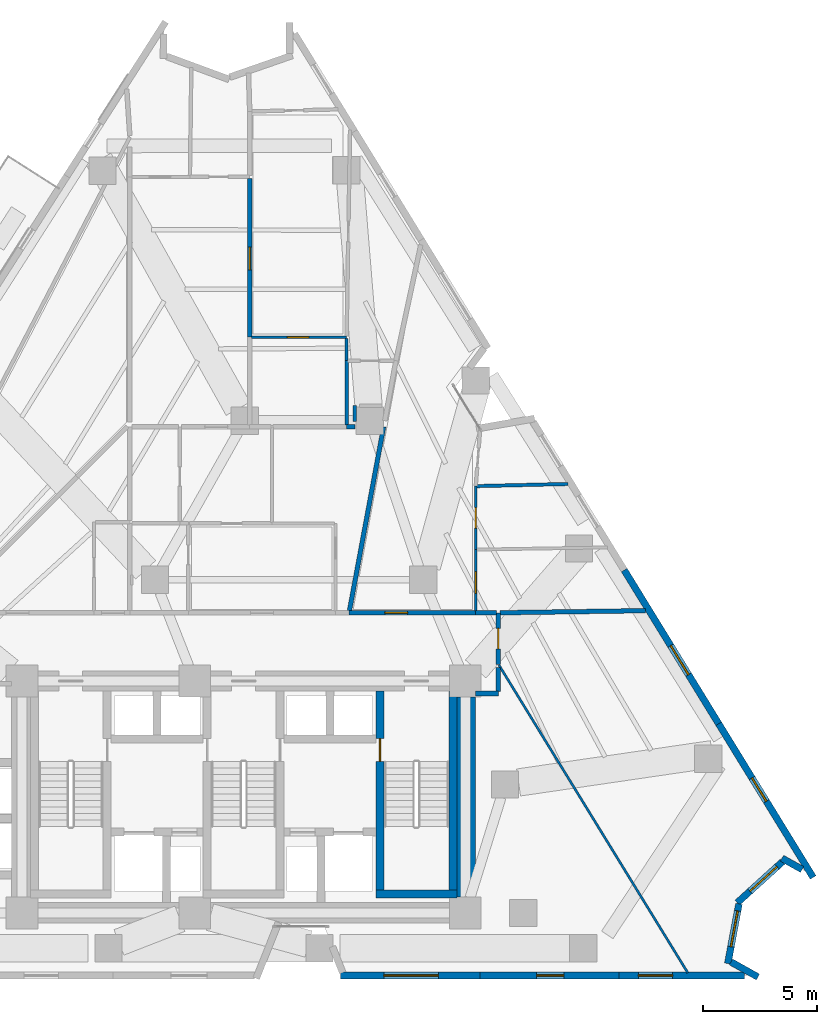
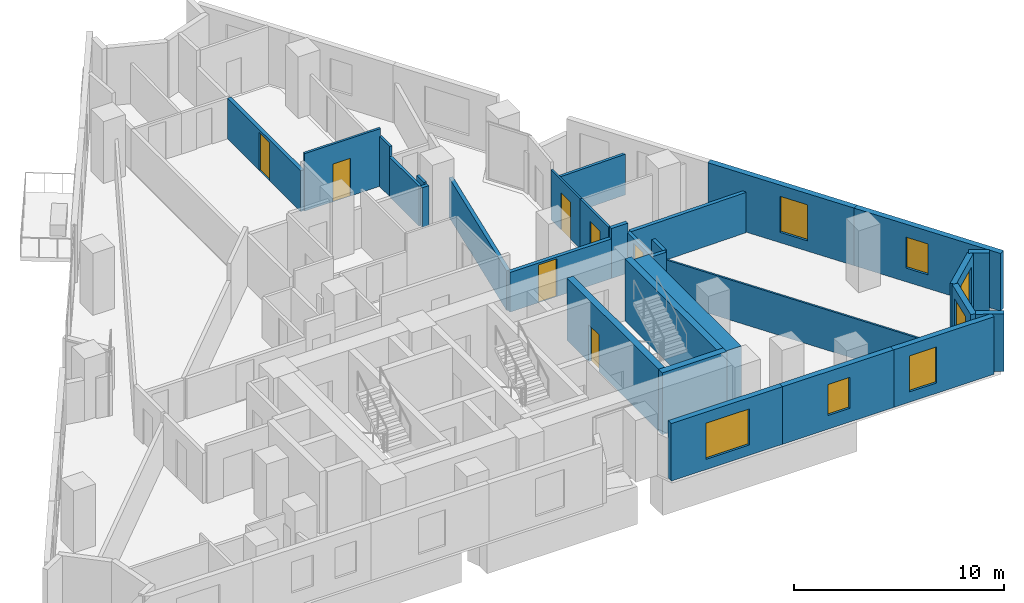
# One storey, part 8 of 13: 30 walls, 7 doors, 7 windows, 14 openings.
"""IFC4 building model written with IfcOpenShell, lengths in metres."""

from ifc_helpers import new_model, si_unit, direction, frame, frame_2d, origin, place, context, subcontext, project, spatial, rectangle, extrude, material, layer, layer_set, type_object, element, fill, save


model = new_model("IFC4")

# Units and contexts
model_context = context("Model", 3, precision=1e-05, world=origin(), true_north=direction((0.0, 1.0)))
body_context = subcontext(model_context, "Body", "Model", "MODEL_VIEW")
ifc_project = project(units=[si_unit("LENGTHUNIT", "METRE"), si_unit("AREAUNIT", "SQUARE_METRE"), si_unit("VOLUMEUNIT", "CUBIC_METRE"), si_unit("PLANEANGLEUNIT", "RADIAN"), si_unit("MASSUNIT", "GRAM", prefix="KILO")], contexts=[model_context])

# Site, building, storey
site_placement = place(None, origin())
site = spatial("IfcSite", under=ifc_project, at=site_placement, CompositionType="ELEMENT")
building_placement = place(site_placement, origin())
building = spatial("IfcBuilding", under=site, at=building_placement, Name="Almagre Mirador Tower", CompositionType="ELEMENT")
storey_placement = place(building_placement, frame((0.0, 0.0, 75.0)))
storey = spatial("IfcBuildingStorey", under=building, at=storey_placement, Name="L18", CompositionType="ELEMENT", Elevation=75.0)

# Wall, opening, window
ifc_material_1 = material(Name="Precast concrete C50/60", Category="concrete")
ifc_layer_1 = layer(ifc_material_1, 0.300048828125)
ifc_layer_set_1 = layer_set([ifc_layer_1], Name="Precast concrete C50/60")
wall_type_1 = type_object("IfcWallType", Name="WAL-EXT-300", PredefinedType="SOLIDWALL", material=ifc_layer_set_1)
wall_1_placement = place(storey_placement, frame((54.04052734375, 19.629150390625, 0.0), z_axis=(0.0, 0.0, 1.0), x_axis=(0.523661280051, -0.851926560083, 0.0)))
wall_1 = element("IfcWall", 1, at=wall_1_placement, inside=storey, type_object=wall_type_1, Name="L18 expressed almagre precast frame wall 16", PredefinedType="SOLIDWALL", context=body_context, shape_type="SweptSolid", body=[
    extrude(rectangle(XDim=7.93408203125, YDim=0.300048828125, at=frame_2d((3.967041015625, 0.0))), origin(), (0.0, 0.0, 1.0), 3.35009765625),
])
opening_1_placement = place(wall_1_placement, frame((3.89990234375, 0.0, 0.60009765625)))
opening_1 = element("IfcOpeningElement", 2, at=opening_1_placement, cuts=wall_1, Name="Opening WN-03", PredefinedType="OPENING", context=body_context, shape_type="SweptSolid", body=[
    extrude(rectangle(XDim=1.5, YDim=2.10009765625, at=frame_2d((0.75, 1.050048828125))), frame((0.0, 0.159902, 0.0), z_axis=(0.0, -1.0, 0.0), x_axis=(1.0, 0.0, 0.0)), (0.0, 0.0, 1.0), 0.320049),
])
ifc_material_2 = material(Name="Dark solar-control laminated hurricane glass", Category="glass")
window_type_1 = type_object("IfcWindowType", Name="WIN-1500X2100", PartitioningType="DOUBLE_PANEL_VERTICAL", PredefinedType="WINDOW", material=ifc_material_2)
window_1_placement = place(opening_1_placement, origin())
window_1 = element("IfcWindow", 3, at=window_1_placement, inside=storey, type_object=window_type_1, Name="L18 recessed hurricane window L18-RST-D", OverallHeight=2.10009765625, OverallWidth=1.5, PartitioningType="SINGLE_PANEL", PredefinedType="WINDOW", context=body_context, shape_type="SweptSolid", body=[
    extrude(rectangle(XDim=1.5, YDim=2.10009765625, at=frame_2d((0.75, 1.050048828125))), frame((0.0, 0.030029296875, 0.0), z_axis=(0.0, -1.0, 0.0), x_axis=(1.0, 0.0, 0.0)), (0.0, 0.0, 1.0), 0.06005859375),
])
fill(opening_1, window_1)

wall_2_placement = place(storey_placement, frame((58.1953125, 12.869873046875, 0.0), z_axis=(0.0, 0.0, 1.0), x_axis=(0.52368361247, -0.851912832413, 0.0)))
wall_2 = element("IfcWall", 4, at=wall_2_placement, inside=storey, type_object=wall_type_1, Name="L18 expressed almagre precast frame wall 17", PredefinedType="SOLIDWALL", context=body_context, shape_type="SweptSolid", body=[
    extrude(rectangle(XDim=7.934326171875, YDim=0.300048828125, at=frame_2d((3.96728515625, 0.0))), origin(), (0.0, 0.0, 1.0), 3.35009765625),
])
opening_2_placement = place(wall_2_placement, frame((2.800048828125, 0.0, 0.800048828125)))
opening_2 = element("IfcOpeningElement", 5, at=opening_2_placement, cuts=wall_2, Name="Opening WN-04", PredefinedType="OPENING", context=body_context, shape_type="SweptSolid", body=[
    extrude(rectangle(XDim=1.199951171875, YDim=1.800048828125, at=frame_2d((0.60009765625, 0.89990234375))), frame((0.0, 0.159902, 0.0), z_axis=(0.0, -1.0, 0.0), x_axis=(1.0, 0.0, 0.0)), (0.0, 0.0, 1.0), 0.320049),
])
ifc_material_3 = material(Name="Dark solar-control laminated hurricane glass", Category="glass")
window_type_2 = type_object("IfcWindowType", Name="WIN-1200X1800", PartitioningType="SINGLE_PANEL", PredefinedType="WINDOW", material=ifc_material_3)
window_2_placement = place(opening_2_placement, origin())
window_2 = element("IfcWindow", 6, at=window_2_placement, inside=storey, type_object=window_type_2, Name="L18 recessed hurricane window L18-RST-D", OverallHeight=1.800048828125, OverallWidth=1.199951171875, PartitioningType="SINGLE_PANEL", PredefinedType="WINDOW", context=body_context, shape_type="SweptSolid", body=[
    extrude(rectangle(XDim=1.199951171875, YDim=1.800048828125, at=frame_2d((0.60009765625, 0.89990234375))), frame((0.0, 0.030029296875, 0.0), z_axis=(0.0, -1.0, 0.0), x_axis=(1.0, 0.0, 0.0)), (0.0, 0.0, 1.0), 0.06005859375),
])
fill(opening_2, window_2)

# Wall
wall_3_placement = place(storey_placement, frame((61.862548828125, 6.4619140625, 0.0), z_axis=(0.0, 0.0, 1.0), x_axis=(-0.872678236231, 0.488295705499, 0.0)))
element("IfcWall", 7, at=wall_3_placement, inside=storey, type_object=wall_type_1, Name="L18 expressed almagre precast frame wall 18", PredefinedType="SOLIDWALL", context=body_context, shape_type="SweptSolid", body=[
    extrude(rectangle(XDim=1.014892578125, YDim=0.300048828125, at=frame_2d((0.50732421875, 0.0))), origin(), (0.0, 0.0, 1.0), 3.35009765625),
])

# Wall, opening, window
wall_4_placement = place(storey_placement, frame((61.002685546875, 6.8017578125, 0.0), z_axis=(0.0, 0.0, 1.0), x_axis=(-0.741163448221, -0.671324618215, 0.0)))
wall_4 = element("IfcWall", 8, at=wall_4_placement, inside=storey, type_object=wall_type_1, Name="L18 expressed almagre precast frame wall 19", PredefinedType="SOLIDWALL", context=body_context, shape_type="SweptSolid", body=[
    extrude(rectangle(XDim=2.688232421875, YDim=0.300048828125, at=frame_2d((1.34423828125, 0.0))), origin(), (0.0, 0.0, 1.0), 3.35009765625),
])
opening_3_placement = place(wall_4_placement, frame((0.330078125, 0.0, 0.550048828125)))
opening_3 = element("IfcOpeningElement", 9, at=opening_3_placement, cuts=wall_4, Name="Opening WN-06", PredefinedType="OPENING", context=body_context, shape_type="SweptSolid", body=[
    extrude(rectangle(XDim=1.60009765625, YDim=2.199951171875, at=frame_2d((0.800048828125, 1.10009765625))), frame((0.0, 0.159902, 0.0), z_axis=(0.0, -1.0, 0.0), x_axis=(1.0, 0.0, 0.0)), (0.0, 0.0, 1.0), 0.320049),
])
ifc_material_4 = material(Name="Dark solar-control laminated hurricane glass", Category="glass")
window_type_3 = type_object("IfcWindowType", Name="WIN-1600X2200", PartitioningType="DOUBLE_PANEL_VERTICAL", PredefinedType="WINDOW", material=ifc_material_4)
window_3_placement = place(opening_3_placement, origin())
window_3 = element("IfcWindow", 10, at=window_3_placement, inside=storey, type_object=window_type_3, Name="L18 recessed hurricane window L18-RST-D", OverallHeight=2.199951171875, OverallWidth=1.60009765625, PartitioningType="SINGLE_PANEL", PredefinedType="WINDOW", context=body_context, shape_type="SweptSolid", body=[
    extrude(rectangle(XDim=1.60009765625, YDim=2.199951171875, at=frame_2d((0.800048828125, 1.10009765625))), frame((0.0, 0.030029296875, 0.0), z_axis=(0.0, -1.0, 0.0), x_axis=(1.0, 0.0, 0.0)), (0.0, 0.0, 1.0), 0.06005859375),
])
fill(opening_3, window_3)

wall_5_placement = place(storey_placement, frame((59.08740234375, 4.948486328125, 0.0), z_axis=(0.0, 0.0, 1.0), x_axis=(-0.183786629236, -0.982966161632, 0.0)))
wall_5 = element("IfcWall", 11, at=wall_5_placement, inside=storey, type_object=wall_type_1, Name="L18 expressed almagre precast frame wall 20", PredefinedType="SOLIDWALL", context=body_context, shape_type="SweptSolid", body=[
    extrude(rectangle(XDim=2.672607421875, YDim=0.300048828125, at=frame_2d((1.33642578125, 0.0))), origin(), (0.0, 0.0, 1.0), 3.35009765625),
])
opening_4_placement = place(wall_5_placement, frame((0.31494140625, 0.0, 0.550048828125)))
opening_4 = element("IfcOpeningElement", 12, at=opening_4_placement, cuts=wall_5, Name="Opening WN-06", PredefinedType="OPENING", context=body_context, shape_type="SweptSolid", body=[
    extrude(rectangle(XDim=1.60009765625, YDim=2.199951171875, at=frame_2d((0.800048828125, 1.10009765625))), frame((0.0, 0.159902, 0.0), z_axis=(0.0, -1.0, 0.0), x_axis=(1.0, 0.0, 0.0)), (0.0, 0.0, 1.0), 0.320049),
])
window_4_placement = place(opening_4_placement, origin())
window_4 = element("IfcWindow", 13, at=window_4_placement, inside=storey, type_object=window_type_3, Name="L18 recessed hurricane window L18-RST-D", OverallHeight=2.199951171875, OverallWidth=1.60009765625, PartitioningType="SINGLE_PANEL", PredefinedType="WINDOW", context=body_context, shape_type="SweptSolid", body=[
    extrude(rectangle(XDim=1.60009765625, YDim=2.199951171875, at=frame_2d((0.800048828125, 1.10009765625))), frame((0.0, 0.030029296875, 0.0), z_axis=(0.0, -1.0, 0.0), x_axis=(1.0, 0.0, 0.0)), (0.0, 0.0, 1.0), 0.06005859375),
])
fill(opening_4, window_4)

# Wall
wall_6_placement = place(storey_placement, frame((58.7353515625, 2.3955078125, 0.0), z_axis=(0.0, 0.0, 1.0), x_axis=(0.872747775204, -0.488171405221, 0.0)))
element("IfcWall", 14, at=wall_6_placement, inside=storey, type_object=wall_type_1, Name="L18 expressed almagre precast frame wall 21", PredefinedType="SOLIDWALL", context=body_context, shape_type="SweptSolid", body=[
    extrude(rectangle(XDim=1.35986328125, YDim=0.300048828125, at=frame_2d((0.679931640625, 0.0))), origin(), (0.0, 0.0, 1.0), 3.35009765625),
])

# Wall, opening, window
wall_7_placement = place(storey_placement, frame((59.340087890625, 1.800048828125, 0.0), z_axis=(0.0, 0.0, 1.0), x_axis=(-1.0, 0.0, 0.0)))
wall_7 = element("IfcWall", 15, at=wall_7_placement, inside=storey, type_object=wall_type_1, Name="L18 expressed almagre precast frame wall 22", PredefinedType="SOLIDWALL", context=body_context, shape_type="SweptSolid", body=[
    extrude(rectangle(XDim=5.524169921875, YDim=0.300048828125, at=frame_2d((2.76220703125, 0.0))), origin(), (0.0, 0.0, 1.0), 3.35009765625),
])
opening_5_placement = place(wall_7_placement, frame((3.175048828125, 0.0, 0.60009765625)))
opening_5 = element("IfcOpeningElement", 16, at=opening_5_placement, cuts=wall_7, Name="Opening WN-03", PredefinedType="OPENING", context=body_context, shape_type="SweptSolid", body=[
    extrude(rectangle(XDim=1.5, YDim=2.10009765625, at=frame_2d((0.75, 1.050048828125))), frame((0.0, 0.159902, 0.0), z_axis=(0.0, -1.0, 0.0), x_axis=(1.0, 0.0, 0.0)), (0.0, 0.0, 1.0), 0.320049),
])
window_5_placement = place(opening_5_placement, origin())
window_5 = element("IfcWindow", 17, at=window_5_placement, inside=storey, type_object=window_type_1, Name="L18 recessed hurricane window L18-RST-C", OverallHeight=2.10009765625, OverallWidth=1.5, PartitioningType="SINGLE_PANEL", PredefinedType="WINDOW", context=body_context, shape_type="SweptSolid", body=[
    extrude(rectangle(XDim=1.5, YDim=2.10009765625, at=frame_2d((0.75, 1.050048828125))), frame((0.0, 0.030029296875, 0.0), z_axis=(0.0, -1.0, 0.0), x_axis=(1.0, 0.0, 0.0)), (0.0, 0.0, 1.0), 0.06005859375),
])
fill(opening_5, window_5)

wall_8_placement = place(storey_placement, frame((53.81591796875, 1.800048828125, 0.0), z_axis=(0.0, 0.0, 1.0), x_axis=(-1.0, 0.0, 0.0)))
wall_8 = element("IfcWall", 18, at=wall_8_placement, inside=storey, type_object=wall_type_1, Name="L18 expressed almagre precast frame wall 23", PredefinedType="SOLIDWALL", context=body_context, shape_type="SweptSolid", body=[
    extrude(rectangle(XDim=6.1240234375, YDim=0.300048828125, at=frame_2d((3.06201171875, 0.0))), origin(), (0.0, 0.0, 1.0), 3.35009765625),
])
opening_6_placement = place(wall_8_placement, frame((2.425048828125, 0.0, 0.800048828125)))
opening_6 = element("IfcOpeningElement", 19, at=opening_6_placement, cuts=wall_8, Name="Opening WN-04", PredefinedType="OPENING", context=body_context, shape_type="SweptSolid", body=[
    extrude(rectangle(XDim=1.199951171875, YDim=1.800048828125, at=frame_2d((0.60009765625, 0.89990234375))), frame((0.0, 0.159902, 0.0), z_axis=(0.0, -1.0, 0.0), x_axis=(1.0, 0.0, 0.0)), (0.0, 0.0, 1.0), 0.320049),
])
window_6_placement = place(opening_6_placement, origin())
window_6 = element("IfcWindow", 20, at=window_6_placement, inside=storey, type_object=window_type_2, Name="L18 recessed hurricane window L18-RST-C", OverallHeight=1.800048828125, OverallWidth=1.199951171875, PartitioningType="SINGLE_PANEL", PredefinedType="WINDOW", context=body_context, shape_type="SweptSolid", body=[
    extrude(rectangle(XDim=1.199951171875, YDim=1.800048828125, at=frame_2d((0.60009765625, 0.89990234375))), frame((0.0, 0.030029296875, 0.0), z_axis=(0.0, -1.0, 0.0), x_axis=(1.0, 0.0, 0.0)), (0.0, 0.0, 1.0), 0.06005859375),
])
fill(opening_6, window_6)

wall_9_placement = place(storey_placement, frame((47.69189453125, 1.800048828125, 0.0), z_axis=(0.0, 0.0, 1.0), x_axis=(-1.0, 0.0, 0.0)))
wall_9 = element("IfcWall", 21, at=wall_9_placement, inside=storey, type_object=wall_type_1, Name="L18 expressed almagre precast frame wall 24", PredefinedType="SOLIDWALL", context=body_context, shape_type="SweptSolid", body=[
    extrude(rectangle(XDim=6.123779296875, YDim=0.300048828125, at=frame_2d((3.06201171875, 0.0))), origin(), (0.0, 0.0, 1.0), 3.35009765625),
])
opening_7_placement = place(wall_9_placement, frame((1.824951171875, 0.0, 0.60009765625)))
opening_7 = element("IfcOpeningElement", 22, at=opening_7_placement, cuts=wall_9, Name="Opening WN-02", PredefinedType="OPENING", context=body_context, shape_type="SweptSolid", body=[
    extrude(rectangle(XDim=2.39990234375, YDim=2.10009765625, at=frame_2d((1.199951171875, 1.050048828125))), frame((0.0, 0.159902, 0.0), z_axis=(0.0, -1.0, 0.0), x_axis=(1.0, 0.0, 0.0)), (0.0, 0.0, 1.0), 0.320049),
])
ifc_material_5 = material(Name="Dark solar-control laminated hurricane glass", Category="glass")
window_type_4 = type_object("IfcWindowType", Name="WIN-2400X2100", PartitioningType="TRIPLE_PANEL_VERTICAL", PredefinedType="WINDOW", material=ifc_material_5)
window_7_placement = place(opening_7_placement, origin())
window_7 = element("IfcWindow", 23, at=window_7_placement, inside=storey, type_object=window_type_4, Name="L18 recessed hurricane window L18-RST-C", OverallHeight=2.10009765625, OverallWidth=2.39990234375, PartitioningType="SINGLE_PANEL", PredefinedType="WINDOW", context=body_context, shape_type="SweptSolid", body=[
    extrude(rectangle(XDim=2.39990234375, YDim=2.10009765625, at=frame_2d((1.199951171875, 1.050048828125))), frame((0.0, 0.030029296875, 0.0), z_axis=(0.0, -1.0, 0.0), x_axis=(1.0, 0.0, 0.0)), (0.0, 0.0, 1.0), 0.06005859375),
])
fill(opening_7, window_7)

# Wall
ifc_material_6 = material(Name="Gypsum acoustic stud partition", Category="other")
ifc_layer_2 = layer(ifc_material_6, 0.10009765625)
ifc_layer_set_2 = layer_set([ifc_layer_2], Name="Gypsum acoustic stud partition")
wall_type_2 = type_object("IfcWallType", Name="WAL-PRT-100-CLS", PredefinedType="PARTITIONING", material=ifc_layer_set_2)
wall_10_placement = place(storey_placement, frame((48.52880859375, 15.453125, 0.0), z_axis=(0.0, 0.0, 1.0), x_axis=(0.52306290803, -0.852294077325, 0.0)))
element("IfcWall", 24, at=wall_10_placement, inside=storey, type_object=wall_type_2, Name="L18 interior partition 023", PredefinedType="PARTITIONING", context=body_context, shape_type="SweptSolid", body=[
    extrude(rectangle(XDim=15.885498046875, YDim=0.10009765625, at=frame_2d((7.94287109375, 0.0))), origin(), (0.0, 0.0, 1.0), 2.344970703125),
])

# Wall, opening, door
wall_11_placement = place(storey_placement, frame((47.510009765625, 20.530029296875, 0.0), z_axis=(0.0, 0.0, 1.0), x_axis=(0.0, 1.0, 0.0)))
wall_11 = element("IfcWall", 25, at=wall_11_placement, inside=storey, type_object=wall_type_2, Name="L18 interior partition 053", PredefinedType="PARTITIONING", context=body_context, shape_type="SweptSolid", body=[
    extrude(rectangle(XDim=2.7900390625, YDim=0.10009765625, at=frame_2d((1.39501953125, 0.0))), origin(), (0.0, 0.0, 1.0), 2.910888671875),
])
opening_8_placement = place(wall_11_placement, frame((0.945068359375, 0.0, 0.0)))
opening_8 = element("IfcOpeningElement", 26, at=opening_8_placement, cuts=wall_11, Name="Opening UD-02", PredefinedType="OPENING", context=body_context, shape_type="SweptSolid", body=[
    extrude(rectangle(XDim=0.89990234375, YDim=2.14990234375, at=frame_2d((0.449951171875, 1.074951171875))), frame((0.0, 0.060049, 0.0), z_axis=(0.0, -1.0, 0.0), x_axis=(1.0, 0.0, 0.0)), (0.0, 0.0, 1.0), 0.120098),
])
ifc_material_7 = material(Name="Solid American walnut timber", Category="wood")
door_type_1 = type_object("IfcDoorType", Name="DOR-UNR-900X2150", OperationType="NOTDEFINED", PredefinedType="DOOR", material=ifc_material_7)
door_1_placement = place(opening_8_placement, origin())
door_1 = element("IfcDoor", 27, at=door_1_placement, inside=storey, type_object=door_type_1, Name="DR-0619 L18 interior door L18-UJ-LV to L18-UJ-MB", OperationType="SINGLE_SWING_LEFT", OverallHeight=2.14990234375, OverallWidth=0.89990234375, PredefinedType="DOOR", context=body_context, shape_type="SweptSolid", body=[
    extrude(rectangle(XDim=0.89990234375, YDim=2.14990234375, at=frame_2d((0.449951171875, 1.074951171875))), frame((0.0, 0.02490234375, 0.0), z_axis=(0.0, -1.0, 0.0), x_axis=(1.0, 0.0, 0.0)), (0.0, 0.0, 1.0), 0.050048828125),
])
fill(opening_8, door_1)

ifc_material_8 = material(Name="Gypsum acoustic stud partition", Category="other")
ifc_layer_3 = layer(ifc_material_8, 0.125)
ifc_layer_set_3 = layer_set([ifc_layer_3], Name="Gypsum acoustic stud partition")
wall_type_3 = type_object("IfcWallType", Name="WAL-PRT-125-UTL", PredefinedType="PARTITIONING", material=ifc_layer_set_3)
wall_12_placement = place(storey_placement, frame((47.510009765625, 17.8349609375, 0.0), z_axis=(0.0, 0.0, 1.0), x_axis=(0.0, 1.0, 0.0)))
wall_12 = element("IfcWall", 28, at=wall_12_placement, inside=storey, type_object=wall_type_3, Name="L18 interior partition 052", PredefinedType="PARTITIONING", context=body_context, shape_type="SweptSolid", body=[
    extrude(rectangle(XDim=2.695068359375, YDim=0.125, at=frame_2d((1.34765625, 0.0))), origin(), (0.0, 0.0, 1.0), 2.910888671875),
])
opening_9_placement = place(wall_12_placement, frame((0.7705078125, 0.0, 0.0)))
opening_9 = element("IfcOpeningElement", 29, at=opening_9_placement, cuts=wall_12, Name="Opening UD-01", PredefinedType="OPENING", context=body_context, shape_type="SweptSolid", body=[
    extrude(rectangle(XDim=0.949951171875, YDim=2.199951171875, at=frame_2d((0.47509765625, 1.10009765625))), frame((0.0, 0.0725, 0.0), z_axis=(0.0, -1.0, 0.0), x_axis=(1.0, 0.0, 0.0)), (0.0, 0.0, 1.0), 0.145),
])
ifc_material_9 = material(Name="Solid American walnut timber", Category="wood")
door_type_2 = type_object("IfcDoorType", Name="DOR-UNR-950X2200", OperationType="NOTDEFINED", PredefinedType="DOOR", material=ifc_material_9)
door_2_placement = place(opening_9_placement, origin())
door_2 = element("IfcDoor", 30, at=door_2_placement, inside=storey, type_object=door_type_2, Name="DR-0617 L18 interior door L18-UJ-LV to L18-UJ-KT", OperationType="SINGLE_SWING_LEFT", OverallHeight=2.199951171875, OverallWidth=0.949951171875, PredefinedType="DOOR", context=body_context, shape_type="SweptSolid", body=[
    extrude(rectangle(XDim=0.949951171875, YDim=2.199951171875, at=frame_2d((0.47509765625, 1.10009765625))), frame((0.0, 0.02490234375, 0.0), z_axis=(0.0, -1.0, 0.0), x_axis=(1.0, 0.0, 0.0)), (0.0, 0.0, 1.0), 0.050048828125),
])
fill(opening_9, door_2)

wall_13_placement = place(storey_placement, frame((37.655029296875, 29.8701171875, 0.0), z_axis=(0.0, 0.0, 1.0), x_axis=(1.0, 0.0, 0.0)))
wall_13 = element("IfcWall", 31, at=wall_13_placement, inside=storey, type_object=wall_type_3, Name="L18 interior partition 066", PredefinedType="PARTITIONING", context=body_context, shape_type="SweptSolid", body=[
    extrude(rectangle(XDim=4.175048828125, YDim=0.125, at=frame_2d((2.08740234375, 0.0))), origin(), (0.0, 0.0, 1.0), 3.35009765625),
])
opening_10_placement = place(wall_13_placement, frame((1.570068359375, 0.0, 0.0)))
opening_10 = element("IfcOpeningElement", 32, at=opening_10_placement, cuts=wall_13, Name="Opening UD-01", PredefinedType="OPENING", context=body_context, shape_type="SweptSolid", body=[
    extrude(rectangle(XDim=0.949951171875, YDim=2.199951171875, at=frame_2d((0.47509765625, 1.10009765625))), frame((0.0, 0.0725, 0.0), z_axis=(0.0, -1.0, 0.0), x_axis=(1.0, 0.0, 0.0)), (0.0, 0.0, 1.0), 0.145),
])
door_3_placement = place(opening_10_placement, origin())
door_3 = element("IfcDoor", 33, at=door_3_placement, inside=storey, type_object=door_type_2, Name="DR-0622 L18 interior door L18-UL-LV to L18-UL-KT", OperationType="SINGLE_SWING_RIGHT", OverallHeight=2.199951171875, OverallWidth=0.949951171875, PredefinedType="DOOR", context=body_context, shape_type="SweptSolid", body=[
    extrude(rectangle(XDim=0.949951171875, YDim=2.199951171875, at=frame_2d((0.47509765625, 1.10009765625))), frame((0.0, 0.02490234375, 0.0), z_axis=(0.0, -1.0, 0.0), x_axis=(1.0, 0.0, 0.0)), (0.0, 0.0, 1.0), 0.050048828125),
])
fill(opening_10, door_3)

# Walls
wall_14_placement = place(storey_placement, frame((41.830078125, 28.840087890625, 0.0), z_axis=(0.0, 0.0, 1.0), x_axis=(0.0, 1.0, 0.0)))
element("IfcWall", 34, at=wall_14_placement, inside=storey, type_object=wall_type_3, Name="L18 interior partition 068", PredefinedType="PARTITIONING", context=body_context, shape_type="SweptSolid", body=[
    extrude(rectangle(XDim=0.982421875, YDim=0.125, at=frame_2d((0.4912109375, 0.0))), origin(), (0.0, 0.0, 1.0), 2.910888671875),
])
ifc_material_10 = material(Name="Gypsum acoustic stud partition", Category="other")
ifc_layer_4 = layer(ifc_material_10, 0.14990234375)
ifc_layer_set_4 = layer_set([ifc_layer_4], Name="Gypsum acoustic stud partition")
wall_type_4 = type_object("IfcWallType", Name="WAL-PRT-150-STD", PredefinedType="PARTITIONING", material=ifc_layer_set_4)
wall_15_placement = place(storey_placement, frame((47.570068359375, 23.3212890625, 0.0), z_axis=(0.0, 0.0, 1.0), x_axis=(0.999720663017, 0.023634634246, 0.0)))
element("IfcWall", 35, at=wall_15_placement, inside=storey, type_object=wall_type_4, Name="L18 interior partition 056", PredefinedType="PARTITIONING", context=body_context, shape_type="SweptSolid", body=[
    extrude(rectangle(XDim=4.008056640625, YDim=0.14990234375, at=frame_2d((2.00390625, 0.0))), origin(), (0.0, 0.0, 1.0), 2.3701171875),
])
wall_16_placement = place(storey_placement, frame((41.830078125, 26.014892578125, 0.0), z_axis=(0.0, 0.0, 1.0), x_axis=(0.0, 1.0, 0.0)))
element("IfcWall", 36, at=wall_16_placement, inside=storey, type_object=wall_type_4, Name="L18 interior partition 069", PredefinedType="PARTITIONING", context=body_context, shape_type="SweptSolid", body=[
    extrude(rectangle(XDim=2.8251953125, YDim=0.14990234375, at=frame_2d((1.41259765625, 0.0))), origin(), (0.0, 0.0, 1.0), 2.30908203125),
])
wall_17_placement = place(storey_placement, frame((42.18994140625, 26.169921875, 0.0), z_axis=(0.0, 0.0, 1.0), x_axis=(0.0, 1.0, 0.0)))
element("IfcWall", 37, at=wall_17_placement, inside=storey, type_object=wall_type_4, Name="L18 interior partition 072", PredefinedType="PARTITIONING", context=body_context, shape_type="SweptSolid", body=[
    extrude(rectangle(XDim=0.690185546875, YDim=0.14990234375, at=frame_2d((0.34521484375, 0.0))), origin(), (0.0, 0.0, 1.0), 2.30908203125),
])
ifc_material_11 = material(Name="Gypsum acoustic stud partition", Category="other")
ifc_layer_5 = layer(ifc_material_11, 0.199951171875)
ifc_layer_set_5 = layer_set([ifc_layer_5], Name="Gypsum acoustic stud partition")
wall_type_5 = type_object("IfcWallType", Name="WAL-PRT-200-EI60", PredefinedType="PARTITIONING", material=ifc_layer_set_5)
wall_18_placement = place(storey_placement, frame((47.5, 14.199951171875, 0.0), z_axis=(0.0, 0.0, 1.0), x_axis=(1.0, 0.0, 0.0)))
element("IfcWall", 38, at=wall_18_placement, inside=storey, type_object=wall_type_5, Name="L18 interior partition 003", PredefinedType="PARTITIONING", context=body_context, shape_type="SweptSolid", body=[
    extrude(rectangle(XDim=1.0, YDim=0.199951171875, at=frame_2d((0.5, 0.0))), origin(), (0.0, 0.0, 1.0), 3.35009765625),
])
wall_19_placement = place(storey_placement, frame((48.5, 14.284912109375, 0.0), z_axis=(0.0, 0.0, 1.0), x_axis=(0.0, 1.0, 0.0)))
element("IfcWall", 39, at=wall_19_placement, inside=storey, type_object=wall_type_5, Name="L18 interior partition 004", PredefinedType="PARTITIONING", context=body_context, shape_type="SweptSolid", body=[
    extrude(rectangle(XDim=1.065185546875, YDim=0.199951171875, at=frame_2d((0.53271484375, 0.0))), origin(), (0.0, 0.0, 1.0), 3.35009765625),
])

# Wall, opening, door
wall_20_placement = place(storey_placement, frame((48.5, 15.469970703125, 0.0), z_axis=(0.0, 0.0, 1.0), x_axis=(0.0, 1.0, 0.0)))
wall_20 = element("IfcWall", 40, at=wall_20_placement, inside=storey, type_object=wall_type_5, Name="L18 interior partition 005", PredefinedType="PARTITIONING", context=body_context, shape_type="SweptSolid", body=[
    extrude(rectangle(XDim=2.280029296875, YDim=0.199951171875, at=frame_2d((1.14013671875, 0.0))), origin(), (0.0, 0.0, 1.0), 2.344970703125),
])
opening_11_placement = place(wall_20_placement, frame((0.68994140625, 0.0, 0.0)))
opening_11 = element("IfcOpeningElement", 41, at=opening_11_placement, cuts=wall_20, Name="Opening ID-03", PredefinedType="OPENING", context=body_context, shape_type="SweptSolid", body=[
    extrude(rectangle(XDim=0.89990234375, YDim=2.10009765625, at=frame_2d((0.449951171875, 1.050048828125))), frame((0.0, 0.110098, 0.0), z_axis=(0.0, -1.0, 0.0), x_axis=(1.0, 0.0, 0.0)), (0.0, 0.0, 1.0), 0.219951),
])
ifc_material_12 = material(Name="Fire-rated hollow steel", Category="steel")
door_type_3 = type_object("IfcDoorType", Name="DOR-FD60-900X2100", OperationType="NOTDEFINED", PredefinedType="DOOR", material=ifc_material_12)
door_4_placement = place(opening_11_placement, origin())
door_4 = element("IfcDoor", 42, at=door_4_placement, inside=storey, type_object=door_type_3, Name="DR-0605 L18 interior door L18-RCOR to L18-RST-D", OperationType="SINGLE_SWING_LEFT", OverallHeight=2.10009765625, OverallWidth=0.89990234375, PredefinedType="DOOR", context=body_context, shape_type="SweptSolid", body=[
    extrude(rectangle(XDim=0.89990234375, YDim=2.10009765625, at=frame_2d((0.449951171875, 1.050048828125))), frame((0.0, 0.02490234375, 0.0), z_axis=(0.0, -1.0, 0.0), x_axis=(1.0, 0.0, 0.0)), (0.0, 0.0, 1.0), 0.050048828125),
])
fill(opening_11, door_4)

wall_21_placement = place(storey_placement, frame((47.510009765625, 17.75, 0.0), z_axis=(0.0, 0.0, 1.0), x_axis=(-1.0, 0.0, 0.0)))
wall_21 = element("IfcWall", 43, at=wall_21_placement, inside=storey, type_object=wall_type_5, Name="L18 interior partition 013", PredefinedType="PARTITIONING", context=body_context, shape_type="SweptSolid", body=[
    extrude(rectangle(XDim=5.570068359375, YDim=0.199951171875, at=frame_2d((2.78515625, 0.0))), origin(), (0.0, 0.0, 1.0), 2.30908203125),
])
opening_12_placement = place(wall_21_placement, frame((3.0, 0.0, 0.0)))
opening_12 = element("IfcOpeningElement", 44, at=opening_12_placement, cuts=wall_21, Name="Opening ID-01", PredefinedType="OPENING", context=body_context, shape_type="SweptSolid", body=[
    extrude(rectangle(XDim=1.0, YDim=2.199951171875, at=frame_2d((0.5, 1.10009765625))), frame((0.0, 0.110098, 0.0), z_axis=(0.0, -1.0, 0.0), x_axis=(1.0, 0.0, 0.0)), (0.0, 0.0, 1.0), 0.219951),
])
ifc_material_13 = material(Name="Fire-rated walnut timber", Category="wood")
door_type_4 = type_object("IfcDoorType", Name="DOR-FD60-1000X2200", OperationType="NOTDEFINED", PredefinedType="DOOR", material=ifc_material_13)
door_5_placement = place(opening_12_placement, origin())
door_5 = element("IfcDoor", 45, at=door_5_placement, inside=storey, type_object=door_type_4, Name="DR-0616 L18 interior door L18-RCOR to L18-UJ-LV", OperationType="SINGLE_SWING_RIGHT", OverallHeight=2.199951171875, OverallWidth=1.0, PredefinedType="DOOR", context=body_context, shape_type="SweptSolid", body=[
    extrude(rectangle(XDim=1.0, YDim=2.199951171875, at=frame_2d((0.5, 1.10009765625))), frame((0.0, 0.02490234375, 0.0), z_axis=(0.0, -1.0, 0.0), x_axis=(1.0, 0.0, 0.0)), (0.0, 0.0, 1.0), 0.050048828125),
])
fill(opening_12, door_5)

# Walls
wall_22_placement = place(storey_placement, frame((48.4150390625, 17.75, 0.0), z_axis=(0.0, 0.0, 1.0), x_axis=(-1.0, 0.0, 0.0)))
element("IfcWall", 46, at=wall_22_placement, inside=storey, type_object=wall_type_5, Name="L18 interior partition 014", PredefinedType="PARTITIONING", context=body_context, shape_type="SweptSolid", body=[
    extrude(rectangle(XDim=0.905029296875, YDim=0.199951171875, at=frame_2d((0.45263671875, 0.0))), origin(), (0.0, 0.0, 1.0), 2.910888671875),
])
wall_23_placement = place(storey_placement, frame((54.98291015625, 17.843994140625, 0.0), z_axis=(0.0, 0.0, 1.0), x_axis=(-0.999894330503, -0.014537118977, 0.0)))
element("IfcWall", 47, at=wall_23_placement, inside=storey, type_object=wall_type_5, Name="L18 interior partition 024", PredefinedType="PARTITIONING", context=body_context, shape_type="SweptSolid", body=[
    extrude(rectangle(XDim=6.398681640625, YDim=0.199951171875, at=frame_2d((3.19921875, 0.0))), origin(), (0.0, 0.0, 1.0), 2.344970703125),
])
wall_24_placement = place(storey_placement, frame((41.95556640625, 17.83349609375, 0.0), z_axis=(0.0, 0.0, 1.0), x_axis=(0.182682671213, 0.98317192883, 0.0)))
element("IfcWall", 48, at=wall_24_placement, inside=storey, type_object=wall_type_5, Name="L18 interior partition 044", PredefinedType="PARTITIONING", context=body_context, shape_type="SweptSolid", body=[
    extrude(rectangle(XDim=8.235107421875, YDim=0.199951171875, at=frame_2d((4.11767578125, 0.0))), origin(), (0.0, 0.0, 1.0), 2.30908203125),
])
wall_25_placement = place(storey_placement, frame((42.18994140625, 25.929931640625, 0.0), z_axis=(0.0, 0.0, 1.0), x_axis=(-1.0, 0.0, 0.0)))
element("IfcWall", 49, at=wall_25_placement, inside=storey, type_object=wall_type_5, Name="L18 interior partition 046", PredefinedType="PARTITIONING", context=body_context, shape_type="SweptSolid", body=[
    extrude(rectangle(XDim=0.35986328125, YDim=0.199951171875, at=frame_2d((0.179931640625, 0.0))), origin(), (0.0, 0.0, 1.0), 2.30908203125),
])

# Wall, opening, door
wall_26_placement = place(storey_placement, frame((37.570068359375, 29.8701171875, 0.0), z_axis=(0.0, 0.0, 1.0), x_axis=(0.0, 1.0, 0.0)))
wall_26 = element("IfcWall", 50, at=wall_26_placement, inside=storey, type_object=wall_type_5, Name="L18 interior partition 060", PredefinedType="PARTITIONING", context=body_context, shape_type="SweptSolid", body=[
    extrude(rectangle(XDim=6.989990234375, YDim=0.199951171875, at=frame_2d((3.4951171875, 0.0))), origin(), (0.0, 0.0, 1.0), 2.3701171875),
])
opening_13_placement = place(wall_26_placement, frame((2.966064453125, 0.0, 0.0)))
opening_13 = element("IfcOpeningElement", 51, at=opening_13_placement, cuts=wall_26, Name="Opening ID-01", PredefinedType="OPENING", context=body_context, shape_type="SweptSolid", body=[
    extrude(rectangle(XDim=1.0, YDim=2.199951171875, at=frame_2d((0.5, 1.10009765625))), frame((0.0, 0.110098, 0.0), z_axis=(0.0, -1.0, 0.0), x_axis=(1.0, 0.0, 0.0)), (0.0, 0.0, 1.0), 0.219951),
])
door_6_placement = place(opening_13_placement, origin())
door_6 = element("IfcDoor", 52, at=door_6_placement, inside=storey, type_object=door_type_4, Name="DR-0627 L18 interior door L18-UK-ST to L18-UL-LV", OperationType="SINGLE_SWING_LEFT", OverallHeight=2.199951171875, OverallWidth=1.0, PredefinedType="DOOR", context=body_context, shape_type="SweptSolid", body=[
    extrude(rectangle(XDim=1.0, YDim=2.199951171875, at=frame_2d((0.5, 1.10009765625))), frame((0.0, 0.02490234375, 0.0), z_axis=(0.0, -1.0, 0.0), x_axis=(1.0, 0.0, 0.0)), (0.0, 0.0, 1.0), 0.050048828125),
])
fill(opening_13, door_6)

ifc_material_14 = material(Name="Concrete C60/75", Category="concrete")
ifc_layer_6 = layer(ifc_material_14, 0.35009765625)
ifc_layer_set_6 = layer_set([ifc_layer_6], Name="Concrete C60/75")
wall_type_6 = type_object("IfcWallType", Name="WAL-SHF-350", PredefinedType="SOLIDWALL", material=ifc_layer_set_6)
wall_27_placement = place(storey_placement, frame((43.300048828125, 5.199951171875, 0.0), z_axis=(0.0, 0.0, 1.0), x_axis=(0.0, 1.0, 0.0)))
wall_27 = element("IfcWall", 53, at=wall_27_placement, inside=storey, type_object=wall_type_6, Name="L18 shaft wall ST3-W", PredefinedType="SOLIDWALL", context=body_context, shape_type="SweptSolid", body=[
    extrude(rectangle(XDim=9.10009765625, YDim=0.35009765625, at=frame_2d((4.550048828125, 0.0))), origin(), (0.0, 0.0, 1.0), 3.60009765625),
])
opening_14_placement = place(wall_27_placement, frame((6.02001953125, 0.0, 0.0)))
opening_14 = element("IfcOpeningElement", 54, at=opening_14_placement, cuts=wall_27, Name="Opening FD-01", PredefinedType="OPENING", context=body_context, shape_type="SweptSolid", body=[
    extrude(rectangle(XDim=1.0, YDim=2.14990234375, at=frame_2d((0.5, 1.074951171875))), frame((0.0, 0.185049, 0.0), z_axis=(0.0, -1.0, 0.0), x_axis=(1.0, 0.0, 0.0)), (0.0, 0.0, 1.0), 0.370098),
])
ifc_material_15 = material(Name="Fire-rated hollow steel", Category="steel")
door_type_5 = type_object("IfcDoorType", Name="DOR-FFL-1000X2150", OperationType="NOTDEFINED", PredefinedType="DOOR", material=ifc_material_15)
door_7_placement = place(opening_14_placement, origin())
door_7 = element("IfcDoor", 55, at=door_7_placement, inside=storey, type_object=door_type_5, Name="DR-0603 L18 FFL2-ST3 smokeproof door", OperationType="SINGLE_SWING_LEFT", OverallHeight=2.14990234375, OverallWidth=1.0, PredefinedType="DOOR", context=body_context, shape_type="SweptSolid", body=[
    extrude(rectangle(XDim=1.0, YDim=2.14990234375, at=frame_2d((0.5, 1.074951171875))), frame((0.0, 0.02490234375, 0.0), z_axis=(0.0, -1.0, 0.0), x_axis=(1.0, 0.0, 0.0)), (0.0, 0.0, 1.0), 0.050048828125),
])
fill(opening_14, door_7)

# Walls
wall_28_placement = place(storey_placement, frame((46.5, 5.199951171875, 0.0), z_axis=(0.0, 0.0, 1.0), x_axis=(0.0, 1.0, 0.0)))
element("IfcWall", 56, at=wall_28_placement, inside=storey, type_object=wall_type_6, Name="L18 shaft wall ST3-E", PredefinedType="SOLIDWALL", context=body_context, shape_type="SweptSolid", body=[
    extrude(rectangle(XDim=9.10009765625, YDim=0.35009765625, at=frame_2d((4.550048828125, 0.0))), origin(), (0.0, 0.0, 1.0), 3.60009765625),
])
wall_29_placement = place(storey_placement, frame((43.125, 5.375, 0.0), z_axis=(0.0, 0.0, 1.0), x_axis=(1.0, 0.0, 0.0)))
element("IfcWall", 57, at=wall_29_placement, inside=storey, type_object=wall_type_6, Name="L18 shaft wall ST3-S", PredefinedType="SOLIDWALL", context=body_context, shape_type="SweptSolid", body=[
    extrude(rectangle(XDim=3.550048828125, YDim=0.35009765625, at=frame_2d((1.77490234375, 0.0))), origin(), (0.0, 0.0, 1.0), 3.60009765625),
])
ifc_material_16 = material(Name="Concrete C70/85", Category="concrete")
ifc_layer_7 = layer(ifc_material_16, 0.89990234375)
ifc_layer_set_7 = layer_set([ifc_layer_7], Name="Concrete C70/85")
wall_type_7 = type_object("IfcWallType", Name="WAL-SHR-900", PredefinedType="SHEAR", material=ifc_layer_set_7)
wall_30_placement = place(storey_placement, frame((47.050048828125, 5.25, 0.0), z_axis=(0.0, 0.0, 1.0), x_axis=(0.0, 1.0, 0.0)))
element("IfcWall", 58, at=wall_30_placement, inside=storey, type_object=wall_type_7, Name="L18 core shear wall E1", PredefinedType="SHEAR", context=body_context, shape_type="SweptSolid", body=[
    extrude(rectangle(XDim=8.800048828125, YDim=0.89990234375, at=frame_2d((4.39990234375, 0.0))), origin(), (0.0, 0.0, 1.0), 3.60009765625),
])

save(model, "model.ifc")
